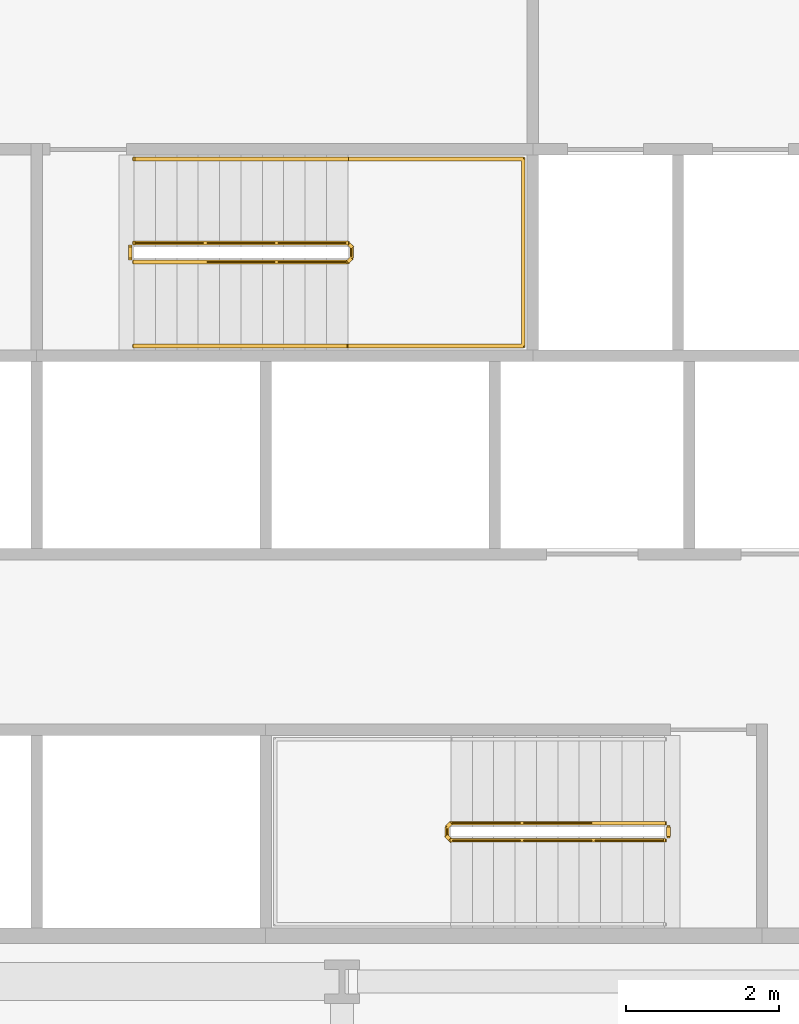
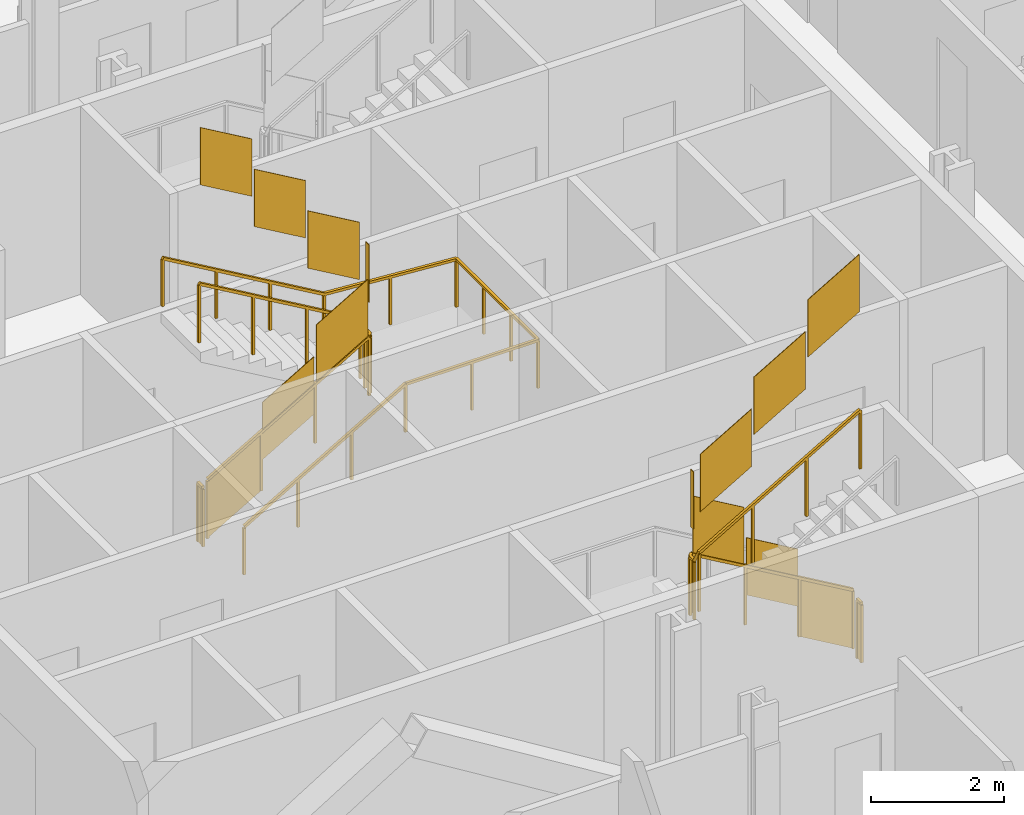
# One storey, part 18 of 21: 5 railings.
"""IFC4 building model written with IfcOpenShell, lengths in metres."""

from ifc_helpers import new_model, si_unit, direction, frame, origin, origin_2d, place, context, subcontext, project, spatial, polyline, rectangle, outline, extrude, material, type_object, element, save


model = new_model("IFC4")

# Units and contexts
model_context = context("Model", 3, precision=1e-05, world=origin(), true_north=direction((0.0, 1.0)))
body_context = subcontext(model_context, "Body", "Model", "MODEL_VIEW")
ifc_project = project(units=[si_unit("LENGTHUNIT", "METRE"), si_unit("AREAUNIT", "SQUARE_METRE"), si_unit("VOLUMEUNIT", "CUBIC_METRE"), si_unit("PLANEANGLEUNIT", "RADIAN"), si_unit("MASSUNIT", "GRAM", prefix="KILO")], contexts=[model_context])

# Site, building, storey
site_placement = place(None, origin())
site = spatial("IfcSite", under=ifc_project, at=site_placement, CompositionType="ELEMENT")
building_placement = place(site_placement, origin())
building = spatial("IfcBuilding", under=site, at=building_placement, Name="Cairn Pilgrim Tower", CompositionType="ELEMENT")
storey_placement = place(building_placement, frame((0.0, 0.0, 43.800048828125)))
storey = spatial("IfcBuildingStorey", under=building, at=storey_placement, Name="L08", CompositionType="ELEMENT", Elevation=43.800048828125)

# Railings
ifc_material = material(Name="Painted steel", Category="steel")
railing_type_1 = type_object("IfcRailingType", Name="STAIR GUARD 1100", PredefinedType="GUARDRAIL", material=ifc_material)
railing_1_placement = place(storey_placement, frame((11.425048828125, -3.925048828125, 0.16357421875)))
element("IfcRailing", 1, at=railing_1_placement, inside=storey, type_object=railing_type_1, Name="L08 ST-A stair guard 1", PredefinedType="GUARDRAIL", context=body_context, shape_type="SweptSolid", body=[
    extrude(rectangle(XDim=0.048095703125, YDim=0.048095703125, at=origin_2d()), frame((0.0, 0.0, 1.076171875), z_axis=(-0.863360870873, 0.0, 0.504586966384), x_axis=(0.0, -1.0, 0.0)), (0.0, 0.0, 1.0), 3.2431640625),
    extrude(rectangle(XDim=0.048095703125, YDim=0.048095703125, at=origin_2d()), frame((-2.800048828125, 0.0, 2.71240234375), z_axis=(-0.707106781187, -0.707106781187, 0.0), x_axis=(0.707106781187, -0.707106781187, 0.0)), (0.0, 0.0, 1.0), 0.07080078125),
    extrude(rectangle(XDim=0.048095703125, YDim=0.048095703125, at=origin_2d()), frame((-2.85009765625, -0.050048828125, 2.71240234375), z_axis=(0.0, -1.0, 0.0), x_axis=(1.0, 0.0, 0.0)), (0.0, 0.0, 1.0), 0.125),
    extrude(rectangle(XDim=0.048095703125, YDim=0.048095703125, at=origin_2d()), frame((-2.85009765625, -0.175048828125, 2.71240234375), z_axis=(0.280916556609, -0.279546231943, 0.91811752648), x_axis=(0.705375805398, 0.708833529934, 0.0)), (0.0, 0.0, 1.0), 0.17822265625),
    extrude(rectangle(XDim=0.048095703125, YDim=0.048095703125, at=origin_2d()), frame((-2.800048828125, -0.224853515625, 2.8759765625), z_axis=(0.863393664356, 0.0, 0.504530851732), x_axis=(0.0, 1.0, 0.0)), (0.0, 0.0, 1.0), 3.2431640625),
    extrude(rectangle(XDim=0.0419921875, YDim=0.0419921875, at=origin_2d()), origin(), (0.0, 0.0, 1.0), 1.052001953125),
    extrude(rectangle(XDim=0.0419921875, YDim=0.0419921875, at=origin_2d()), frame((-0.933349609375, 0.0, 0.54541015625)), (0.0, 0.0, 1.0), 1.052001953125),
    extrude(rectangle(XDim=0.0419921875, YDim=0.0419921875, at=origin_2d()), frame((-1.86669921875, 0.0, 1.091064453125)), (0.0, 0.0, 1.0), 1.052001953125),
    extrude(rectangle(XDim=0.0419921875, YDim=0.0419921875, at=origin_2d()), frame((-2.800048828125, 0.0, 1.636474609375)), (0.0, 0.0, 1.0), 1.052001953125),
    extrude(rectangle(XDim=0.0419921875, YDim=0.0419921875, at=origin_2d()), frame((-2.85009765625, -0.050048828125, 1.636474609375)), (0.0, 0.0, 1.0), 1.052001953125),
    extrude(rectangle(XDim=0.0419921875, YDim=0.0419921875, at=origin_2d()), frame((-2.85009765625, -0.175048828125, 1.636474609375)), (0.0, 0.0, 1.0), 1.052001953125),
    extrude(rectangle(XDim=0.0419921875, YDim=0.0419921875, at=origin_2d()), frame((-2.800048828125, -0.224853515625, 1.800048828125)), (0.0, 0.0, 1.0), 1.052001953125),
    extrude(rectangle(XDim=0.0419921875, YDim=0.0419921875, at=origin_2d()), frame((-1.86669921875, -0.224853515625, 2.345458984375)), (0.0, 0.0, 1.0), 1.052001953125),
    extrude(rectangle(XDim=0.0419921875, YDim=0.0419921875, at=origin_2d()), frame((-0.933349609375, -0.224853515625, 2.890869140625)), (0.0, 0.0, 1.0), 1.052001953125),
    extrude(rectangle(XDim=0.0419921875, YDim=0.0419921875, at=origin_2d()), frame((0.0, -0.224853515625, 3.436279296875)), (0.0, 0.0, 1.0), 1.052001953125),
    extrude(outline(polyline([(0.02099609375, 0.01220703125), (0.912353515625, 0.533203125), (0.912353515625, 1.585205078125), (0.02099609375, 1.064208984375), (0.02099609375, 0.01220703125)])), frame((0.0, -0.005859375, 0.0), z_axis=(0.0, 1.0, 0.0), x_axis=(-1.0, 0.0, 0.0)), (0.0, 0.0, 1.0), 0.011962890625),
    extrude(outline(polyline([(0.02099609375, 0.557861328125), (0.912353515625, 1.07861328125), (0.912353515625, 2.130615234375), (0.02099609375, 1.60986328125), (0.02099609375, 0.557861328125)])), frame((-0.933349609375, -0.005859375, 0.54541015625), z_axis=(0.0, 1.0, 0.0), x_axis=(-1.0, 0.0, 0.0)), (0.0, 0.0, 1.0), 0.011962890625),
    extrude(outline(polyline([(0.02099609375, 1.103271484375), (0.912353515625, 1.624267578125), (0.912353515625, 2.67626953125), (0.02099609375, 2.1552734375), (0.02099609375, 1.103271484375)])), frame((-1.86669921875, -0.005859375, 1.091064453125), z_axis=(0.0, 1.0, 0.0), x_axis=(-1.0, 0.0, 0.0)), (0.0, 0.0, 1.0), 0.011962890625),
    extrude(outline(polyline([(0.02099609375, 1.636474609375), (0.10400390625, 1.636474609375), (0.10400390625, 2.6884765625), (0.02099609375, 2.6884765625), (0.02099609375, 1.636474609375)])), frame((-2.84423828125, -0.050048828125, 1.636474609375), z_axis=(-1.0, 0.0, 0.0), x_axis=(0.0, -1.0, 0.0)), (0.0, 0.0, 1.0), 0.011962890625),
    extrude(outline(polyline([(0.02099609375, 1.812255859375), (0.912353515625, 2.333251953125), (0.912353515625, 3.38525390625), (0.02099609375, 2.8642578125), (0.02099609375, 1.812255859375)])), frame((-2.800048828125, -0.21875, 1.800048828125), z_axis=(0.0, -1.0, 0.0), x_axis=(1.0, 0.0, 0.0)), (0.0, 0.0, 1.0), 0.011962890625),
    extrude(outline(polyline([(0.02099609375, 2.357666015625), (0.912353515625, 2.878662109375), (0.912353515625, 3.9306640625), (0.02099609375, 3.40966796875), (0.02099609375, 2.357666015625)])), frame((-1.86669921875, -0.21875, 2.345458984375), z_axis=(0.0, -1.0, 0.0), x_axis=(1.0, 0.0, 0.0)), (0.0, 0.0, 1.0), 0.011962890625),
    extrude(outline(polyline([(0.02099609375, 2.903076171875), (0.912353515625, 3.424072265625), (0.912353515625, 4.47607421875), (0.02099609375, 3.955078125), (0.02099609375, 2.903076171875)])), frame((-0.933349609375, -0.21875, 2.890869140625), z_axis=(0.0, -1.0, 0.0), x_axis=(1.0, 0.0, 0.0)), (0.0, 0.0, 1.0), 0.011962890625),
])
railing_2_placement = place(storey_placement, frame((11.47509765625, -3.97509765625, 0.0)))
element("IfcRailing", 2, at=railing_2_placement, inside=storey, type_object=railing_type_1, Name="L08 ST-A stair guard 2", PredefinedType="GUARDRAIL", context=body_context, shape_type="SweptSolid", body=[
    extrude(rectangle(XDim=0.048095703125, YDim=0.048095703125, at=origin_2d()), frame((0.0, 0.0, 1.076171875), z_axis=(0.0, -1.0, 0.0), x_axis=(1.0, 0.0, 0.0)), (0.0, 0.0, 1.0), 0.125),
    extrude(rectangle(XDim=0.0419921875, YDim=0.0419921875, at=origin_2d()), origin(), (0.0, 0.0, 1.0), 1.052001953125),
    extrude(rectangle(XDim=0.0419921875, YDim=0.0419921875, at=origin_2d()), frame((0.0, -0.125, 0.0)), (0.0, 0.0, 1.0), 1.052001953125),
    extrude(outline(polyline([(0.02099609375, 0.0), (0.10400390625, 0.0), (0.10400390625, 1.052001953125), (0.02099609375, 1.052001953125), (0.02099609375, 0.0)])), frame((0.005859375, 0.0, 0.0), z_axis=(-1.0, 0.0, 0.0), x_axis=(0.0, -1.0, 0.0)), (0.0, 0.0, 1.0), 0.011962890625),
])
railing_3_placement = place(storey_placement, frame((4.47509765625, 3.425048828125, 0.16357421875)))
element("IfcRailing", 3, at=railing_3_placement, inside=storey, type_object=railing_type_1, Name="L08 ST-B stair guard 1", PredefinedType="GUARDRAIL", context=body_context, shape_type="SweptSolid", body=[
    extrude(rectangle(XDim=0.048095703125, YDim=0.048095703125, at=origin_2d()), frame((0.0, 0.0, 1.076171875), z_axis=(0.863341702679, 0.0, 0.504619762213), x_axis=(0.0, 1.0, 0.0)), (0.0, 0.0, 1.0), 3.242919921875),
    extrude(rectangle(XDim=0.048095703125, YDim=0.048095703125, at=origin_2d()), frame((2.7998046875, 0.0, 2.71240234375), z_axis=(0.707106781187, 0.707106781187, 0.0), x_axis=(-0.707106781187, 0.707106781187, 0.0)), (0.0, 0.0, 1.0), 0.07080078125),
    extrude(rectangle(XDim=0.048095703125, YDim=0.048095703125, at=origin_2d()), frame((2.849853515625, 0.050048828125, 2.71240234375), z_axis=(0.0, 1.0, 0.0), x_axis=(-1.0, 0.0, 0.0)), (0.0, 0.0, 1.0), 0.14990234375),
    extrude(rectangle(XDim=0.048095703125, YDim=0.048095703125, at=origin_2d()), frame((2.849853515625, 0.199951171875, 2.71240234375), z_axis=(-0.280808744504, 0.280808744504, 0.917765164963), x_axis=(-0.707106781187, -0.707106781187, 0.0)), (0.0, 0.0, 1.0), 0.17822265625),
    extrude(rectangle(XDim=0.048095703125, YDim=0.048095703125, at=origin_2d()), frame((2.7998046875, 0.25, 2.8759765625), z_axis=(-0.863374499697, 0.0, 0.504563646405), x_axis=(0.0, -1.0, 0.0)), (0.0, 0.0, 1.0), 3.242919921875),
    extrude(rectangle(XDim=0.0419921875, YDim=0.0419921875, at=origin_2d()), origin(), (0.0, 0.0, 1.0), 1.052001953125),
    extrude(rectangle(XDim=0.0419921875, YDim=0.0419921875, at=origin_2d()), frame((0.933349609375, 0.0, 0.54541015625)), (0.0, 0.0, 1.0), 1.052001953125),
    extrude(rectangle(XDim=0.0419921875, YDim=0.0419921875, at=origin_2d()), frame((1.866455078125, 0.0, 1.091064453125)), (0.0, 0.0, 1.0), 1.052001953125),
    extrude(rectangle(XDim=0.0419921875, YDim=0.0419921875, at=origin_2d()), frame((2.7998046875, 0.0, 1.636474609375)), (0.0, 0.0, 1.0), 1.052001953125),
    extrude(rectangle(XDim=0.0419921875, YDim=0.0419921875, at=origin_2d()), frame((2.849853515625, 0.050048828125, 1.636474609375)), (0.0, 0.0, 1.0), 1.052001953125),
    extrude(rectangle(XDim=0.0419921875, YDim=0.0419921875, at=origin_2d()), frame((2.849853515625, 0.199951171875, 1.636474609375)), (0.0, 0.0, 1.0), 1.052001953125),
    extrude(rectangle(XDim=0.0419921875, YDim=0.0419921875, at=origin_2d()), frame((2.7998046875, 0.25, 1.800048828125)), (0.0, 0.0, 1.0), 1.052001953125),
    extrude(rectangle(XDim=0.0419921875, YDim=0.0419921875, at=origin_2d()), frame((1.866455078125, 0.25, 2.345458984375)), (0.0, 0.0, 1.0), 1.052001953125),
    extrude(rectangle(XDim=0.0419921875, YDim=0.0419921875, at=origin_2d()), frame((0.933349609375, 0.25, 2.890869140625)), (0.0, 0.0, 1.0), 1.052001953125),
    extrude(rectangle(XDim=0.0419921875, YDim=0.0419921875, at=origin_2d()), frame((0.0, 0.25, 3.436279296875)), (0.0, 0.0, 1.0), 1.052001953125),
    extrude(outline(polyline([(0.02099609375, 0.01220703125), (0.912353515625, 0.533203125), (0.912353515625, 1.585205078125), (0.02099609375, 1.064208984375), (0.02099609375, 0.01220703125)])), frame((0.0, 0.005859375, 0.0), z_axis=(0.0, -1.0, 0.0), x_axis=(1.0, 0.0, 0.0)), (0.0, 0.0, 1.0), 0.011962890625),
    extrude(outline(polyline([(0.02099609375, 0.557861328125), (0.912353515625, 1.07861328125), (0.912353515625, 2.130615234375), (0.02099609375, 1.60986328125), (0.02099609375, 0.557861328125)])), frame((0.933349609375, 0.005859375, 0.54541015625), z_axis=(0.0, -1.0, 0.0), x_axis=(1.0, 0.0, 0.0)), (0.0, 0.0, 1.0), 0.011962890625),
    extrude(outline(polyline([(0.02099609375, 1.103271484375), (0.912353515625, 1.624267578125), (0.912353515625, 2.67626953125), (0.02099609375, 2.1552734375), (0.02099609375, 1.103271484375)])), frame((1.866455078125, 0.005859375, 1.091064453125), z_axis=(0.0, -1.0, 0.0), x_axis=(1.0, 0.0, 0.0)), (0.0, 0.0, 1.0), 0.011962890625),
    extrude(outline(polyline([(0.02099609375, 1.636474609375), (0.12890625, 1.636474609375), (0.12890625, 2.6884765625), (0.02099609375, 2.6884765625), (0.02099609375, 1.636474609375)])), frame((2.84375, 0.050048828125, 1.636474609375), z_axis=(1.0, 0.0, 0.0), x_axis=(0.0, 1.0, 0.0)), (0.0, 0.0, 1.0), 0.011962890625),
    extrude(outline(polyline([(0.02099609375, 1.812255859375), (0.912353515625, 2.333251953125), (0.912353515625, 3.38525390625), (0.02099609375, 2.8642578125), (0.02099609375, 1.812255859375)])), frame((2.7998046875, 0.244140625, 1.800048828125), z_axis=(0.0, 1.0, 0.0), x_axis=(-1.0, 0.0, 0.0)), (0.0, 0.0, 1.0), 0.011962890625),
    extrude(outline(polyline([(0.02099609375, 2.357666015625), (0.912353515625, 2.878662109375), (0.912353515625, 3.9306640625), (0.02099609375, 3.40966796875), (0.02099609375, 2.357666015625)])), frame((1.866455078125, 0.244140625, 2.345458984375), z_axis=(0.0, 1.0, 0.0), x_axis=(-1.0, 0.0, 0.0)), (0.0, 0.0, 1.0), 0.011962890625),
    extrude(outline(polyline([(0.02099609375, 2.903076171875), (0.912353515625, 3.424072265625), (0.912353515625, 4.47607421875), (0.02099609375, 3.955078125), (0.02099609375, 2.903076171875)])), frame((0.933349609375, 0.244140625, 2.890869140625), z_axis=(0.0, 1.0, 0.0), x_axis=(-1.0, 0.0, 0.0)), (0.0, 0.0, 1.0), 0.011962890625),
])
railing_4_placement = place(storey_placement, frame((4.425048828125, 3.47509765625, 0.0)))
element("IfcRailing", 4, at=railing_4_placement, inside=storey, type_object=railing_type_1, Name="L08 ST-B stair guard 2", PredefinedType="GUARDRAIL", context=body_context, shape_type="SweptSolid", body=[
    extrude(rectangle(XDim=0.048095703125, YDim=0.048095703125, at=origin_2d()), frame((0.0, 0.0, 1.076171875), z_axis=(0.0, 1.0, 0.0), x_axis=(-1.0, 0.0, 0.0)), (0.0, 0.0, 1.0), 0.14990234375),
    extrude(rectangle(XDim=0.0419921875, YDim=0.0419921875, at=origin_2d()), origin(), (0.0, 0.0, 1.0), 1.052001953125),
    extrude(rectangle(XDim=0.0419921875, YDim=0.0419921875, at=origin_2d()), frame((0.0, 0.14990234375, 0.0)), (0.0, 0.0, 1.0), 1.052001953125),
    extrude(outline(polyline([(0.02099609375, 0.0), (0.12890625, 0.0), (0.12890625, 1.052001953125), (0.02099609375, 1.052001953125), (0.02099609375, 0.0)])), frame((-0.005859375, 0.0, 0.0), z_axis=(1.0, 0.0, 0.0), x_axis=(0.0, 1.0, 0.0)), (0.0, 0.0, 1.0), 0.011962890625),
])
railing_type_2 = type_object("IfcRailingType", Name="STAIR HANDRAIL 900", PredefinedType="HANDRAIL", material=ifc_material)
railing_5_placement = place(storey_placement, frame((4.47509765625, 2.324951171875, 0.16357421875)))
element("IfcRailing", 5, at=railing_5_placement, inside=storey, type_object=railing_type_2, Name="L08 ST-B stair handrail 1", PredefinedType="HANDRAIL", context=body_context, shape_type="SweptSolid", body=[
    extrude(rectangle(XDim=0.048095703125, YDim=0.048095703125, at=origin_2d()), frame((0.0, 0.0, 0.8759765625), z_axis=(0.863341702679, 0.0, 0.504619762213), x_axis=(0.0, 1.0, 0.0)), (0.0, 0.0, 1.0), 3.242919921875),
    extrude(rectangle(XDim=0.048095703125, YDim=0.048095703125, at=origin_2d()), frame((2.7998046875, 0.0, 2.51220703125), z_axis=(1.0, 0.0, 0.0), x_axis=(0.0, 1.0, 0.0)), (0.0, 0.0, 1.0), 2.300048828125),
    extrude(rectangle(XDim=0.048095703125, YDim=0.048095703125, at=origin_2d()), frame((5.099853515625, 0.0, 2.51220703125), z_axis=(0.0, 1.0, 0.0), x_axis=(-1.0, 0.0, 0.0)), (0.0, 0.0, 1.0), 2.449951171875),
    extrude(rectangle(XDim=0.048095703125, YDim=0.048095703125, at=origin_2d()), frame((5.099853515625, 2.449951171875, 2.51220703125), z_axis=(-0.997480687736, 0.0, 0.070938548008), x_axis=(0.0, -1.0, 0.0)), (0.0, 0.0, 1.0), 2.305908203125),
    extrude(rectangle(XDim=0.048095703125, YDim=0.048095703125, at=origin_2d()), frame((2.7998046875, 2.449951171875, 2.67578125), z_axis=(-0.863374499697, 0.0, 0.504563646405), x_axis=(0.0, -1.0, 0.0)), (0.0, 0.0, 1.0), 3.242919921875),
    extrude(rectangle(XDim=0.0419921875, YDim=0.0419921875, at=origin_2d()), origin(), (0.0, 0.0, 1.0), 0.851806640625),
    extrude(rectangle(XDim=0.0419921875, YDim=0.0419921875, at=origin_2d()), frame((0.933349609375, 0.0, 0.54541015625)), (0.0, 0.0, 1.0), 0.851806640625),
    extrude(rectangle(XDim=0.0419921875, YDim=0.0419921875, at=origin_2d()), frame((1.866455078125, 0.0, 1.091064453125)), (0.0, 0.0, 1.0), 0.851806640625),
    extrude(rectangle(XDim=0.0419921875, YDim=0.0419921875, at=origin_2d()), frame((2.7998046875, 0.0, 1.636474609375)), (0.0, 0.0, 1.0), 0.851806640625),
    extrude(rectangle(XDim=0.0419921875, YDim=0.0419921875, at=origin_2d()), frame((3.94970703125, 0.0, 1.636474609375)), (0.0, 0.0, 1.0), 0.851806640625),
    extrude(rectangle(XDim=0.0419921875, YDim=0.0419921875, at=origin_2d()), frame((5.099853515625, 0.0, 1.636474609375)), (0.0, 0.0, 1.0), 0.851806640625),
    extrude(rectangle(XDim=0.0419921875, YDim=0.0419921875, at=origin_2d()), frame((5.099853515625, 0.816650390625, 1.636474609375)), (0.0, 0.0, 1.0), 0.851806640625),
    extrude(rectangle(XDim=0.0419921875, YDim=0.0419921875, at=origin_2d()), frame((5.099853515625, 1.63330078125, 1.636474609375)), (0.0, 0.0, 1.0), 0.851806640625),
    extrude(rectangle(XDim=0.0419921875, YDim=0.0419921875, at=origin_2d()), frame((5.099853515625, 2.449951171875, 1.636474609375)), (0.0, 0.0, 1.0), 0.851806640625),
    extrude(rectangle(XDim=0.0419921875, YDim=0.0419921875, at=origin_2d()), frame((3.94970703125, 2.449951171875, 1.71826171875)), (0.0, 0.0, 1.0), 0.851806640625),
    extrude(rectangle(XDim=0.0419921875, YDim=0.0419921875, at=origin_2d()), frame((2.7998046875, 2.449951171875, 1.800048828125)), (0.0, 0.0, 1.0), 0.851806640625),
    extrude(rectangle(XDim=0.0419921875, YDim=0.0419921875, at=origin_2d()), frame((1.866455078125, 2.449951171875, 2.345458984375)), (0.0, 0.0, 1.0), 0.851806640625),
    extrude(rectangle(XDim=0.0419921875, YDim=0.0419921875, at=origin_2d()), frame((0.933349609375, 2.449951171875, 2.890869140625)), (0.0, 0.0, 1.0), 0.851806640625),
    extrude(rectangle(XDim=0.0419921875, YDim=0.0419921875, at=origin_2d()), frame((0.0, 2.449951171875, 3.436279296875)), (0.0, 0.0, 1.0), 0.851806640625),
])

save(model, "model.ifc")
